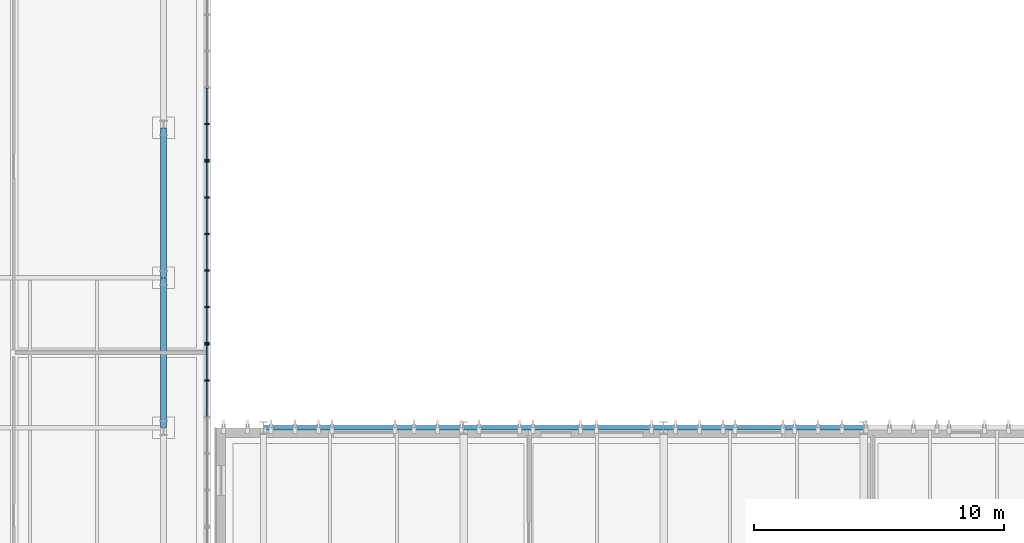
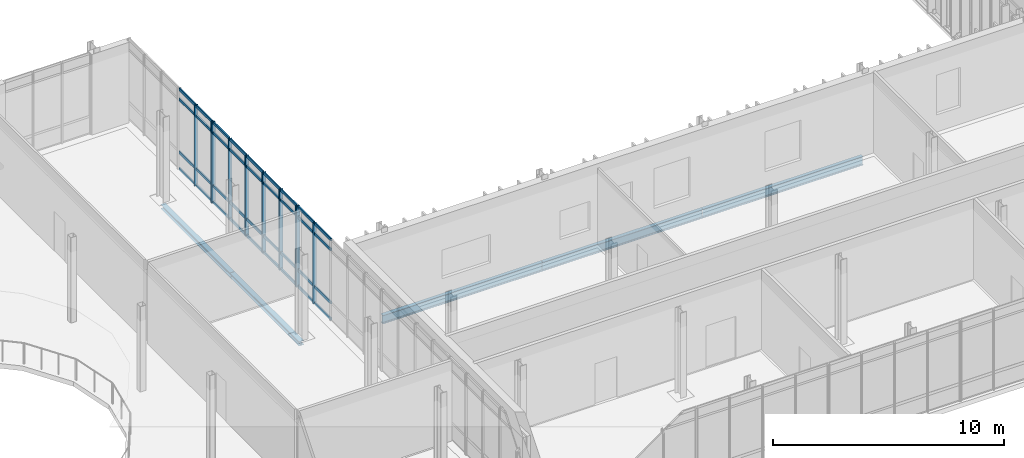
# One storey, part 31 of 100: 46 members, 5 beams, 3 elements without a shape of their own.
"""IFC4 building model written with IfcOpenShell, lengths in metres."""

from ifc_helpers import new_model, si_unit, direction, frame, origin, origin_2d, place, context, subcontext, project, spatial, rectangle, i_section, extrude, material, material_profile, profile_set, type_object, element, aggregate, save


model = new_model("IFC4")

# Units and contexts
model_context = context("Model", 3, precision=1e-05, world=origin(), true_north=direction((0.0, 1.0)))
body_context = subcontext(model_context, "Body", "Model", "MODEL_VIEW")
ifc_project = project(units=[si_unit("LENGTHUNIT", "METRE"), si_unit("AREAUNIT", "SQUARE_METRE"), si_unit("VOLUMEUNIT", "CUBIC_METRE"), si_unit("PLANEANGLEUNIT", "RADIAN"), si_unit("MASSUNIT", "GRAM", prefix="KILO")], contexts=[model_context])

# Site, building, storey
site_placement = place(None, origin())
site = spatial("IfcSite", under=ifc_project, at=site_placement, CompositionType="ELEMENT")
building_placement = place(site_placement, origin())
building = spatial("IfcBuilding", under=site, at=building_placement, Name="Cymarion Research Institute", CompositionType="ELEMENT")
storey_placement = place(building_placement, frame((0.0, 0.0, 4.800048828125)))
storey = spatial("IfcBuildingStorey", under=building, at=storey_placement, Name="L01", CompositionType="ELEMENT", Elevation=4.800048828125)

# Curtain wall, members
ifc_material_1 = material(Name="Anodised aluminium unitised curtain wall with Low-E glazing", Category="aluminium")
curtain_wall_type = type_object("IfcCurtainWallType", Name="UNITISED CURTAIN WALL CW08 7320X4250", PredefinedType="NOTDEFINED", material=ifc_material_1)
curtain_wall_1_placement = place(storey_placement, origin())
curtain_wall_1 = element("IfcCurtainWall", 1, at=curtain_wall_1_placement, inside=storey, type_object=curtain_wall_type, Name="L01 V2 unitised curtain wall CW08 #21", PredefinedType="NOTDEFINED")
ifc_material_2 = material(Name="Anodised aluminium framing", Category="aluminium")
ifc_material_profile_1 = material_profile(ifc_material_2, rectangle(XDim=0.06005859375, YDim=0.179931640625, at=origin_2d()), Name="ALU MULLION 60x180")
ifc_profile_set_1 = profile_set([ifc_material_profile_1], Name="Anodised aluminium framing")
member_type_1 = type_object("IfcMemberType", Name="CURTAIN WALL MULLION ML01 60X180", PredefinedType="MULLION", material=ifc_profile_set_1)
member_1_placement = place(storey_placement, frame((104.340087890625, 25.39599609375, 0.0), z_axis=(0.0, 0.0, 1.0), x_axis=(0.0, 1.0, 0.0)))
member_1 = element("IfcMember", 2, at=member_1_placement, type_object=member_type_1, Name="CW08 mullion 5", PredefinedType="MULLION", context=body_context, shape_type="SweptSolid", body=[
    extrude(rectangle(XDim=0.06005859375, YDim=0.179931640625, at=origin_2d()), origin(), (0.0, 0.0, 1.0), 4.25),
])
member_2_placement = place(storey_placement, frame((104.340087890625, 26.830078125, 0.0), z_axis=(0.0, 0.0, 1.0), x_axis=(0.0, 1.0, 0.0)))
member_2 = element("IfcMember", 3, at=member_2_placement, type_object=member_type_1, Name="CW08 mullion 6", PredefinedType="MULLION", context=body_context, shape_type="SweptSolid", body=[
    extrude(rectangle(XDim=0.06005859375, YDim=0.179931640625, at=origin_2d()), origin(), (0.0, 0.0, 1.0), 4.25),
])

curtain_wall_2_placement = place(storey_placement, origin())
curtain_wall_2 = element("IfcCurtainWall", 4, at=curtain_wall_2_placement, inside=storey, type_object=curtain_wall_type, Name="L01 V2 unitised curtain wall CW08 #22", PredefinedType="NOTDEFINED")
member_3_placement = place(storey_placement, frame((104.340087890625, 26.889892578125, 0.0), z_axis=(0.0, 0.0, 1.0), x_axis=(0.0, 1.0, 0.0)))
member_3 = element("IfcMember", 5, at=member_3_placement, type_object=member_type_1, Name="CW08 mullion 1", PredefinedType="MULLION", context=body_context, shape_type="SweptSolid", body=[
    extrude(rectangle(XDim=0.06005859375, YDim=0.179931640625, at=origin_2d()), origin(), (0.0, 0.0, 1.0), 4.25),
])
member_4_placement = place(storey_placement, frame((104.340087890625, 28.323974609375, 0.0), z_axis=(0.0, 0.0, 1.0), x_axis=(0.0, 1.0, 0.0)))
member_4 = element("IfcMember", 6, at=member_4_placement, type_object=member_type_1, Name="CW08 mullion 2", PredefinedType="MULLION", context=body_context, shape_type="SweptSolid", body=[
    extrude(rectangle(XDim=0.06005859375, YDim=0.179931640625, at=origin_2d()), origin(), (0.0, 0.0, 1.0), 4.25),
])
member_5_placement = place(storey_placement, frame((104.340087890625, 29.7880859375, 0.0), z_axis=(0.0, 0.0, 1.0), x_axis=(0.0, 1.0, 0.0)))
member_5 = element("IfcMember", 7, at=member_5_placement, type_object=member_type_1, Name="CW08 mullion 3", PredefinedType="MULLION", context=body_context, shape_type="SweptSolid", body=[
    extrude(rectangle(XDim=0.06005859375, YDim=0.179931640625, at=origin_2d()), origin(), (0.0, 0.0, 1.0), 4.25),
])
member_6_placement = place(storey_placement, frame((104.340087890625, 31.251953125, 0.0), z_axis=(0.0, 0.0, 1.0), x_axis=(0.0, 1.0, 0.0)))
member_6 = element("IfcMember", 8, at=member_6_placement, type_object=member_type_1, Name="CW08 mullion 4", PredefinedType="MULLION", context=body_context, shape_type="SweptSolid", body=[
    extrude(rectangle(XDim=0.06005859375, YDim=0.179931640625, at=origin_2d()), origin(), (0.0, 0.0, 1.0), 4.25),
])
member_7_placement = place(storey_placement, frame((104.340087890625, 32.716064453125, 0.0), z_axis=(0.0, 0.0, 1.0), x_axis=(0.0, 1.0, 0.0)))
member_7 = element("IfcMember", 9, at=member_7_placement, type_object=member_type_1, Name="CW08 mullion 5", PredefinedType="MULLION", context=body_context, shape_type="SweptSolid", body=[
    extrude(rectangle(XDim=0.06005859375, YDim=0.179931640625, at=origin_2d()), origin(), (0.0, 0.0, 1.0), 4.25),
])
member_8_placement = place(storey_placement, frame((104.340087890625, 34.14990234375, 0.0), z_axis=(0.0, 0.0, 1.0), x_axis=(0.0, 1.0, 0.0)))
member_8 = element("IfcMember", 10, at=member_8_placement, type_object=member_type_1, Name="CW08 mullion 6", PredefinedType="MULLION", context=body_context, shape_type="SweptSolid", body=[
    extrude(rectangle(XDim=0.06005859375, YDim=0.179931640625, at=origin_2d()), origin(), (0.0, 0.0, 1.0), 4.25),
])

curtain_wall_3_placement = place(storey_placement, origin())
curtain_wall_3 = element("IfcCurtainWall", 11, at=curtain_wall_3_placement, inside=storey, type_object=curtain_wall_type, Name="L01 V2 unitised curtain wall CW08 #23", PredefinedType="NOTDEFINED")
member_9_placement = place(storey_placement, frame((104.340087890625, 34.2099609375, 0.0), z_axis=(0.0, 0.0, 1.0), x_axis=(0.0, 1.0, 0.0)))
member_9 = element("IfcMember", 12, at=member_9_placement, type_object=member_type_1, Name="CW08 mullion 1", PredefinedType="MULLION", context=body_context, shape_type="SweptSolid", body=[
    extrude(rectangle(XDim=0.06005859375, YDim=0.179931640625, at=origin_2d()), origin(), (0.0, 0.0, 1.0), 4.25),
])
member_10_placement = place(storey_placement, frame((104.340087890625, 35.64404296875, 0.0), z_axis=(0.0, 0.0, 1.0), x_axis=(0.0, 1.0, 0.0)))
member_10 = element("IfcMember", 13, at=member_10_placement, type_object=member_type_1, Name="CW08 mullion 2", PredefinedType="MULLION", context=body_context, shape_type="SweptSolid", body=[
    extrude(rectangle(XDim=0.06005859375, YDim=0.179931640625, at=origin_2d()), origin(), (0.0, 0.0, 1.0), 4.25),
])

# Member
ifc_material_profile_2 = material_profile(ifc_material_2, rectangle(XDim=0.06005859375, YDim=0.14990234375, at=origin_2d()), Name="ALU TRANSOM 60x150")
ifc_profile_set_2 = profile_set([ifc_material_profile_2], Name="Anodised aluminium framing")
member_type_2 = type_object("IfcMemberType", Name="CURTAIN WALL TRANSOM TR01 60X150", PredefinedType="USERDEFINED", material=ifc_profile_set_2)
member_11_placement = place(storey_placement, frame((104.340087890625, 23.9619140625, 0.030029296875), z_axis=(0.0, 1.0, 0.0), x_axis=(-1.0, 0.0, 0.0)))
member_11 = element("IfcMember", 14, at=member_11_placement, type_object=member_type_2, Name="CW08 transom 4.1", ObjectType="TRANSOM", PredefinedType="USERDEFINED", context=body_context, shape_type="SweptSolid", body=[
    extrude(rectangle(XDim=0.06005859375, YDim=0.14990234375, at=origin_2d()), origin(), (0.0, 0.0, 1.0), 1.404052734375),
])

member_12_placement = place(storey_placement, frame((104.340087890625, 23.9619140625, 0.89990234375), z_axis=(0.0, 1.0, 0.0), x_axis=(-1.0, 0.0, 0.0)))
member_12 = element("IfcMember", 15, at=member_12_placement, type_object=member_type_2, Name="CW08 transom 4.2", ObjectType="TRANSOM", PredefinedType="USERDEFINED", context=body_context, shape_type="SweptSolid", body=[
    extrude(rectangle(XDim=0.06005859375, YDim=0.14990234375, at=origin_2d()), origin(), (0.0, 0.0, 1.0), 1.404052734375),
])

member_13_placement = place(storey_placement, frame((104.340087890625, 23.9619140625, 3.699951171875), z_axis=(0.0, 1.0, 0.0), x_axis=(-1.0, 0.0, 0.0)))
member_13 = element("IfcMember", 16, at=member_13_placement, type_object=member_type_2, Name="CW08 transom 4.3", ObjectType="TRANSOM", PredefinedType="USERDEFINED", context=body_context, shape_type="SweptSolid", body=[
    extrude(rectangle(XDim=0.06005859375, YDim=0.14990234375, at=origin_2d()), origin(), (0.0, 0.0, 1.0), 1.404052734375),
])

member_14_placement = place(storey_placement, frame((104.340087890625, 23.9619140625, 4.219970703125), z_axis=(0.0, 1.0, 0.0), x_axis=(-1.0, 0.0, 0.0)))
member_14 = element("IfcMember", 17, at=member_14_placement, type_object=member_type_2, Name="CW08 transom 4.4", ObjectType="TRANSOM", PredefinedType="USERDEFINED", context=body_context, shape_type="SweptSolid", body=[
    extrude(rectangle(XDim=0.06005859375, YDim=0.14990234375, at=origin_2d()), origin(), (0.0, 0.0, 1.0), 1.404052734375),
])

member_15_placement = place(storey_placement, frame((104.340087890625, 25.426025390625, 0.030029296875), z_axis=(0.0, 1.0, 0.0), x_axis=(-1.0, 0.0, 0.0)))
member_15 = element("IfcMember", 18, at=member_15_placement, type_object=member_type_2, Name="CW08 transom 5.1", ObjectType="TRANSOM", PredefinedType="USERDEFINED", context=body_context, shape_type="SweptSolid", body=[
    extrude(rectangle(XDim=0.06005859375, YDim=0.14990234375, at=origin_2d()), origin(), (0.0, 0.0, 1.0), 1.3740234375),
])

member_16_placement = place(storey_placement, frame((104.340087890625, 25.426025390625, 0.89990234375), z_axis=(0.0, 1.0, 0.0), x_axis=(-1.0, 0.0, 0.0)))
member_16 = element("IfcMember", 19, at=member_16_placement, type_object=member_type_2, Name="CW08 transom 5.2", ObjectType="TRANSOM", PredefinedType="USERDEFINED", context=body_context, shape_type="SweptSolid", body=[
    extrude(rectangle(XDim=0.06005859375, YDim=0.14990234375, at=origin_2d()), origin(), (0.0, 0.0, 1.0), 1.3740234375),
])

member_17_placement = place(storey_placement, frame((104.340087890625, 25.426025390625, 3.699951171875), z_axis=(0.0, 1.0, 0.0), x_axis=(-1.0, 0.0, 0.0)))
member_17 = element("IfcMember", 20, at=member_17_placement, type_object=member_type_2, Name="CW08 transom 5.3", ObjectType="TRANSOM", PredefinedType="USERDEFINED", context=body_context, shape_type="SweptSolid", body=[
    extrude(rectangle(XDim=0.06005859375, YDim=0.14990234375, at=origin_2d()), origin(), (0.0, 0.0, 1.0), 1.3740234375),
])

member_18_placement = place(storey_placement, frame((104.340087890625, 25.426025390625, 4.219970703125), z_axis=(0.0, 1.0, 0.0), x_axis=(-1.0, 0.0, 0.0)))
member_18 = element("IfcMember", 21, at=member_18_placement, type_object=member_type_2, Name="CW08 transom 5.4", ObjectType="TRANSOM", PredefinedType="USERDEFINED", context=body_context, shape_type="SweptSolid", body=[
    extrude(rectangle(XDim=0.06005859375, YDim=0.14990234375, at=origin_2d()), origin(), (0.0, 0.0, 1.0), 1.3740234375),
])

aggregate(curtain_wall_1, [member_1, member_2, member_11, member_12, member_13, member_14, member_15, member_16, member_17, member_18])

member_19_placement = place(storey_placement, frame((104.340087890625, 26.919921875, 0.030029296875), z_axis=(0.0, 1.0, 0.0), x_axis=(-1.0, 0.0, 0.0)))
member_19 = element("IfcMember", 22, at=member_19_placement, type_object=member_type_2, Name="CW08 transom 1.1", ObjectType="TRANSOM", PredefinedType="USERDEFINED", context=body_context, shape_type="SweptSolid", body=[
    extrude(rectangle(XDim=0.06005859375, YDim=0.14990234375, at=origin_2d()), origin(), (0.0, 0.0, 1.0), 1.3740234375),
])

member_20_placement = place(storey_placement, frame((104.340087890625, 26.919921875, 0.89990234375), z_axis=(0.0, 1.0, 0.0), x_axis=(-1.0, 0.0, 0.0)))
member_20 = element("IfcMember", 23, at=member_20_placement, type_object=member_type_2, Name="CW08 transom 1.2", ObjectType="TRANSOM", PredefinedType="USERDEFINED", context=body_context, shape_type="SweptSolid", body=[
    extrude(rectangle(XDim=0.06005859375, YDim=0.14990234375, at=origin_2d()), origin(), (0.0, 0.0, 1.0), 1.3740234375),
])

member_21_placement = place(storey_placement, frame((104.340087890625, 26.919921875, 3.699951171875), z_axis=(0.0, 1.0, 0.0), x_axis=(-1.0, 0.0, 0.0)))
member_21 = element("IfcMember", 24, at=member_21_placement, type_object=member_type_2, Name="CW08 transom 1.3", ObjectType="TRANSOM", PredefinedType="USERDEFINED", context=body_context, shape_type="SweptSolid", body=[
    extrude(rectangle(XDim=0.06005859375, YDim=0.14990234375, at=origin_2d()), origin(), (0.0, 0.0, 1.0), 1.3740234375),
])

member_22_placement = place(storey_placement, frame((104.340087890625, 26.919921875, 4.219970703125), z_axis=(0.0, 1.0, 0.0), x_axis=(-1.0, 0.0, 0.0)))
member_22 = element("IfcMember", 25, at=member_22_placement, type_object=member_type_2, Name="CW08 transom 1.4", ObjectType="TRANSOM", PredefinedType="USERDEFINED", context=body_context, shape_type="SweptSolid", body=[
    extrude(rectangle(XDim=0.06005859375, YDim=0.14990234375, at=origin_2d()), origin(), (0.0, 0.0, 1.0), 1.3740234375),
])

member_23_placement = place(storey_placement, frame((104.340087890625, 28.35400390625, 0.030029296875), z_axis=(0.0, 1.0, 0.0), x_axis=(-1.0, 0.0, 0.0)))
member_23 = element("IfcMember", 26, at=member_23_placement, type_object=member_type_2, Name="CW08 transom 2.1", ObjectType="TRANSOM", PredefinedType="USERDEFINED", context=body_context, shape_type="SweptSolid", body=[
    extrude(rectangle(XDim=0.06005859375, YDim=0.14990234375, at=origin_2d()), origin(), (0.0, 0.0, 1.0), 1.404052734375),
])

member_24_placement = place(storey_placement, frame((104.340087890625, 28.35400390625, 0.89990234375), z_axis=(0.0, 1.0, 0.0), x_axis=(-1.0, 0.0, 0.0)))
member_24 = element("IfcMember", 27, at=member_24_placement, type_object=member_type_2, Name="CW08 transom 2.2", ObjectType="TRANSOM", PredefinedType="USERDEFINED", context=body_context, shape_type="SweptSolid", body=[
    extrude(rectangle(XDim=0.06005859375, YDim=0.14990234375, at=origin_2d()), origin(), (0.0, 0.0, 1.0), 1.404052734375),
])

member_25_placement = place(storey_placement, frame((104.340087890625, 28.35400390625, 3.699951171875), z_axis=(0.0, 1.0, 0.0), x_axis=(-1.0, 0.0, 0.0)))
member_25 = element("IfcMember", 28, at=member_25_placement, type_object=member_type_2, Name="CW08 transom 2.3", ObjectType="TRANSOM", PredefinedType="USERDEFINED", context=body_context, shape_type="SweptSolid", body=[
    extrude(rectangle(XDim=0.06005859375, YDim=0.14990234375, at=origin_2d()), origin(), (0.0, 0.0, 1.0), 1.404052734375),
])

member_26_placement = place(storey_placement, frame((104.340087890625, 28.35400390625, 4.219970703125), z_axis=(0.0, 1.0, 0.0), x_axis=(-1.0, 0.0, 0.0)))
member_26 = element("IfcMember", 29, at=member_26_placement, type_object=member_type_2, Name="CW08 transom 2.4", ObjectType="TRANSOM", PredefinedType="USERDEFINED", context=body_context, shape_type="SweptSolid", body=[
    extrude(rectangle(XDim=0.06005859375, YDim=0.14990234375, at=origin_2d()), origin(), (0.0, 0.0, 1.0), 1.404052734375),
])

member_27_placement = place(storey_placement, frame((104.340087890625, 29.818115234375, 0.030029296875), z_axis=(0.0, 1.0, 0.0), x_axis=(-1.0, 0.0, 0.0)))
member_27 = element("IfcMember", 30, at=member_27_placement, type_object=member_type_2, Name="CW08 transom 3.1", ObjectType="TRANSOM", PredefinedType="USERDEFINED", context=body_context, shape_type="SweptSolid", body=[
    extrude(rectangle(XDim=0.06005859375, YDim=0.14990234375, at=origin_2d()), origin(), (0.0, 0.0, 1.0), 1.40380859375),
])

member_28_placement = place(storey_placement, frame((104.340087890625, 29.818115234375, 0.89990234375), z_axis=(0.0, 1.0, 0.0), x_axis=(-1.0, 0.0, 0.0)))
member_28 = element("IfcMember", 31, at=member_28_placement, type_object=member_type_2, Name="CW08 transom 3.2", ObjectType="TRANSOM", PredefinedType="USERDEFINED", context=body_context, shape_type="SweptSolid", body=[
    extrude(rectangle(XDim=0.06005859375, YDim=0.14990234375, at=origin_2d()), origin(), (0.0, 0.0, 1.0), 1.40380859375),
])

member_29_placement = place(storey_placement, frame((104.340087890625, 29.818115234375, 3.699951171875), z_axis=(0.0, 1.0, 0.0), x_axis=(-1.0, 0.0, 0.0)))
member_29 = element("IfcMember", 32, at=member_29_placement, type_object=member_type_2, Name="CW08 transom 3.3", ObjectType="TRANSOM", PredefinedType="USERDEFINED", context=body_context, shape_type="SweptSolid", body=[
    extrude(rectangle(XDim=0.06005859375, YDim=0.14990234375, at=origin_2d()), origin(), (0.0, 0.0, 1.0), 1.40380859375),
])

member_30_placement = place(storey_placement, frame((104.340087890625, 29.818115234375, 4.219970703125), z_axis=(0.0, 1.0, 0.0), x_axis=(-1.0, 0.0, 0.0)))
member_30 = element("IfcMember", 33, at=member_30_placement, type_object=member_type_2, Name="CW08 transom 3.4", ObjectType="TRANSOM", PredefinedType="USERDEFINED", context=body_context, shape_type="SweptSolid", body=[
    extrude(rectangle(XDim=0.06005859375, YDim=0.14990234375, at=origin_2d()), origin(), (0.0, 0.0, 1.0), 1.40380859375),
])

member_31_placement = place(storey_placement, frame((104.340087890625, 31.281982421875, 0.030029296875), z_axis=(0.0, 1.0, 0.0), x_axis=(-1.0, 0.0, 0.0)))
member_31 = element("IfcMember", 34, at=member_31_placement, type_object=member_type_2, Name="CW08 transom 4.1", ObjectType="TRANSOM", PredefinedType="USERDEFINED", context=body_context, shape_type="SweptSolid", body=[
    extrude(rectangle(XDim=0.06005859375, YDim=0.14990234375, at=origin_2d()), origin(), (0.0, 0.0, 1.0), 1.404052734375),
])

member_32_placement = place(storey_placement, frame((104.340087890625, 31.281982421875, 0.89990234375), z_axis=(0.0, 1.0, 0.0), x_axis=(-1.0, 0.0, 0.0)))
member_32 = element("IfcMember", 35, at=member_32_placement, type_object=member_type_2, Name="CW08 transom 4.2", ObjectType="TRANSOM", PredefinedType="USERDEFINED", context=body_context, shape_type="SweptSolid", body=[
    extrude(rectangle(XDim=0.06005859375, YDim=0.14990234375, at=origin_2d()), origin(), (0.0, 0.0, 1.0), 1.404052734375),
])

member_33_placement = place(storey_placement, frame((104.340087890625, 31.281982421875, 3.699951171875), z_axis=(0.0, 1.0, 0.0), x_axis=(-1.0, 0.0, 0.0)))
member_33 = element("IfcMember", 36, at=member_33_placement, type_object=member_type_2, Name="CW08 transom 4.3", ObjectType="TRANSOM", PredefinedType="USERDEFINED", context=body_context, shape_type="SweptSolid", body=[
    extrude(rectangle(XDim=0.06005859375, YDim=0.14990234375, at=origin_2d()), origin(), (0.0, 0.0, 1.0), 1.404052734375),
])

member_34_placement = place(storey_placement, frame((104.340087890625, 31.281982421875, 4.219970703125), z_axis=(0.0, 1.0, 0.0), x_axis=(-1.0, 0.0, 0.0)))
member_34 = element("IfcMember", 37, at=member_34_placement, type_object=member_type_2, Name="CW08 transom 4.4", ObjectType="TRANSOM", PredefinedType="USERDEFINED", context=body_context, shape_type="SweptSolid", body=[
    extrude(rectangle(XDim=0.06005859375, YDim=0.14990234375, at=origin_2d()), origin(), (0.0, 0.0, 1.0), 1.404052734375),
])

member_35_placement = place(storey_placement, frame((104.340087890625, 32.74609375, 0.030029296875), z_axis=(0.0, 1.0, 0.0), x_axis=(-1.0, 0.0, 0.0)))
member_35 = element("IfcMember", 38, at=member_35_placement, type_object=member_type_2, Name="CW08 transom 5.1", ObjectType="TRANSOM", PredefinedType="USERDEFINED", context=body_context, shape_type="SweptSolid", body=[
    extrude(rectangle(XDim=0.06005859375, YDim=0.14990234375, at=origin_2d()), origin(), (0.0, 0.0, 1.0), 1.3740234375),
])

member_36_placement = place(storey_placement, frame((104.340087890625, 32.74609375, 0.89990234375), z_axis=(0.0, 1.0, 0.0), x_axis=(-1.0, 0.0, 0.0)))
member_36 = element("IfcMember", 39, at=member_36_placement, type_object=member_type_2, Name="CW08 transom 5.2", ObjectType="TRANSOM", PredefinedType="USERDEFINED", context=body_context, shape_type="SweptSolid", body=[
    extrude(rectangle(XDim=0.06005859375, YDim=0.14990234375, at=origin_2d()), origin(), (0.0, 0.0, 1.0), 1.3740234375),
])

member_37_placement = place(storey_placement, frame((104.340087890625, 32.74609375, 3.699951171875), z_axis=(0.0, 1.0, 0.0), x_axis=(-1.0, 0.0, 0.0)))
member_37 = element("IfcMember", 40, at=member_37_placement, type_object=member_type_2, Name="CW08 transom 5.3", ObjectType="TRANSOM", PredefinedType="USERDEFINED", context=body_context, shape_type="SweptSolid", body=[
    extrude(rectangle(XDim=0.06005859375, YDim=0.14990234375, at=origin_2d()), origin(), (0.0, 0.0, 1.0), 1.3740234375),
])

member_38_placement = place(storey_placement, frame((104.340087890625, 32.74609375, 4.219970703125), z_axis=(0.0, 1.0, 0.0), x_axis=(-1.0, 0.0, 0.0)))
member_38 = element("IfcMember", 41, at=member_38_placement, type_object=member_type_2, Name="CW08 transom 5.4", ObjectType="TRANSOM", PredefinedType="USERDEFINED", context=body_context, shape_type="SweptSolid", body=[
    extrude(rectangle(XDim=0.06005859375, YDim=0.14990234375, at=origin_2d()), origin(), (0.0, 0.0, 1.0), 1.3740234375),
])

aggregate(curtain_wall_2, [member_3, member_4, member_5, member_6, member_7, member_8, member_19, member_20, member_21, member_22, member_23, member_24, member_25, member_26, member_27, member_28, member_29, member_30, member_31, member_32, member_33, member_34, member_35, member_36, member_37, member_38])

member_39_placement = place(storey_placement, frame((104.340087890625, 34.239990234375, 0.030029296875), z_axis=(0.0, 1.0, 0.0), x_axis=(-1.0, 0.0, 0.0)))
member_39 = element("IfcMember", 42, at=member_39_placement, type_object=member_type_2, Name="CW08 transom 1.1", ObjectType="TRANSOM", PredefinedType="USERDEFINED", context=body_context, shape_type="SweptSolid", body=[
    extrude(rectangle(XDim=0.06005859375, YDim=0.14990234375, at=origin_2d()), origin(), (0.0, 0.0, 1.0), 1.3740234375),
])

member_40_placement = place(storey_placement, frame((104.340087890625, 34.239990234375, 0.89990234375), z_axis=(0.0, 1.0, 0.0), x_axis=(-1.0, 0.0, 0.0)))
member_40 = element("IfcMember", 43, at=member_40_placement, type_object=member_type_2, Name="CW08 transom 1.2", ObjectType="TRANSOM", PredefinedType="USERDEFINED", context=body_context, shape_type="SweptSolid", body=[
    extrude(rectangle(XDim=0.06005859375, YDim=0.14990234375, at=origin_2d()), origin(), (0.0, 0.0, 1.0), 1.3740234375),
])

member_41_placement = place(storey_placement, frame((104.340087890625, 34.239990234375, 3.699951171875), z_axis=(0.0, 1.0, 0.0), x_axis=(-1.0, 0.0, 0.0)))
member_41 = element("IfcMember", 44, at=member_41_placement, type_object=member_type_2, Name="CW08 transom 1.3", ObjectType="TRANSOM", PredefinedType="USERDEFINED", context=body_context, shape_type="SweptSolid", body=[
    extrude(rectangle(XDim=0.06005859375, YDim=0.14990234375, at=origin_2d()), origin(), (0.0, 0.0, 1.0), 1.3740234375),
])

member_42_placement = place(storey_placement, frame((104.340087890625, 34.239990234375, 4.219970703125), z_axis=(0.0, 1.0, 0.0), x_axis=(-1.0, 0.0, 0.0)))
member_42 = element("IfcMember", 45, at=member_42_placement, type_object=member_type_2, Name="CW08 transom 1.4", ObjectType="TRANSOM", PredefinedType="USERDEFINED", context=body_context, shape_type="SweptSolid", body=[
    extrude(rectangle(XDim=0.06005859375, YDim=0.14990234375, at=origin_2d()), origin(), (0.0, 0.0, 1.0), 1.3740234375),
])

member_43_placement = place(storey_placement, frame((104.340087890625, 35.674072265625, 0.030029296875), z_axis=(0.0, 1.0, 0.0), x_axis=(-1.0, 0.0, 0.0)))
member_43 = element("IfcMember", 46, at=member_43_placement, type_object=member_type_2, Name="CW08 transom 2.1", ObjectType="TRANSOM", PredefinedType="USERDEFINED", context=body_context, shape_type="SweptSolid", body=[
    extrude(rectangle(XDim=0.06005859375, YDim=0.14990234375, at=origin_2d()), origin(), (0.0, 0.0, 1.0), 1.40380859375),
])

member_44_placement = place(storey_placement, frame((104.340087890625, 35.674072265625, 0.89990234375), z_axis=(0.0, 1.0, 0.0), x_axis=(-1.0, 0.0, 0.0)))
member_44 = element("IfcMember", 47, at=member_44_placement, type_object=member_type_2, Name="CW08 transom 2.2", ObjectType="TRANSOM", PredefinedType="USERDEFINED", context=body_context, shape_type="SweptSolid", body=[
    extrude(rectangle(XDim=0.06005859375, YDim=0.14990234375, at=origin_2d()), origin(), (0.0, 0.0, 1.0), 1.40380859375),
])

member_45_placement = place(storey_placement, frame((104.340087890625, 35.674072265625, 3.699951171875), z_axis=(0.0, 1.0, 0.0), x_axis=(-1.0, 0.0, 0.0)))
member_45 = element("IfcMember", 48, at=member_45_placement, type_object=member_type_2, Name="CW08 transom 2.3", ObjectType="TRANSOM", PredefinedType="USERDEFINED", context=body_context, shape_type="SweptSolid", body=[
    extrude(rectangle(XDim=0.06005859375, YDim=0.14990234375, at=origin_2d()), origin(), (0.0, 0.0, 1.0), 1.40380859375),
])

member_46_placement = place(storey_placement, frame((104.340087890625, 35.674072265625, 4.219970703125), z_axis=(0.0, 1.0, 0.0), x_axis=(-1.0, 0.0, 0.0)))
member_46 = element("IfcMember", 49, at=member_46_placement, type_object=member_type_2, Name="CW08 transom 2.4", ObjectType="TRANSOM", PredefinedType="USERDEFINED", context=body_context, shape_type="SweptSolid", body=[
    extrude(rectangle(XDim=0.06005859375, YDim=0.14990234375, at=origin_2d()), origin(), (0.0, 0.0, 1.0), 1.40380859375),
])

aggregate(curtain_wall_3, [member_9, member_10, member_39, member_40, member_41, member_42, member_43, member_44, member_45, member_46])

# Beams
ifc_material_3 = material(Name="Steel S355", Category="steel")
ifc_material_profile_3 = material_profile(ifc_material_3, i_section(OverallWidth=0.18994140625, OverallDepth=0.449951171875, WebThickness=0.009521484375, FlangeThickness=0.0146484375, FilletRadius=0.02099609375, at=origin_2d()), Name="IPE 450")
ifc_profile_set_3 = profile_set([ifc_material_profile_3], Name="Steel S355")
beam_type_1 = type_object("IfcBeamType", Name="PRIMARY GIRDER BM04 IPE 450", PredefinedType="BEAM", material=ifc_profile_set_3)
for number, where, z_axis, x_axis, name in (
    (50, (106.60595703125, 23.5, -0.47509765625), (1.0, 0.0, 0.0), (0.0, 1.0, 0.0), "L01 V1 girder BM04 #364"),
    (51, (114.60595703125, 23.5, -0.47509765625), (1.0, 0.0, 0.0), (0.0, 1.0, 0.0), "L01 V1 girder BM04 #365"),
    (52, (122.60595703125, 23.5, -0.47509765625), (1.0, 0.0, 0.0), (0.0, 1.0, 0.0), "L01 V1 girder BM04 #366"),
):
    element("IfcBeam", number, at=place(storey_placement, frame(where, z_axis=z_axis, x_axis=x_axis)), inside=storey, type_object=beam_type_1, Name=name, PredefinedType="BEAM", context=body_context, shape_type="SweptSolid", body=[
        extrude(i_section(OverallWidth=0.18994140625, OverallDepth=0.449951171875, WebThickness=0.009521484375, FlangeThickness=0.0146484375, FilletRadius=0.02099609375, at=origin_2d()), origin(), (0.0, 0.0, 1.0), 7.988037109375),
    ])
ifc_material_profile_4 = material_profile(ifc_material_3, i_section(OverallWidth=0.239990234375, OverallDepth=0.22998046875, WebThickness=0.007568359375, FlangeThickness=0.011962890625, FilletRadius=0.02099609375, at=origin_2d()), Name="HEA 240")
ifc_profile_set_4 = profile_set([ifc_material_profile_4], Name="Steel S355")
beam_type_2 = type_object("IfcBeamType", Name="SPANDREL BEAM SPB03 HEA 240", PredefinedType="SPANDREL", material=ifc_profile_set_4)
for number, where, z_axis, x_axis, name in (
    (53, (102.60009765625, 23.506103515625, -0.364990234375), (0.0, 1.0, 0.0), (-1.0, 0.0, 0.0), "L01 V2 girder SPB03 #520"),
    (54, (102.60009765625, 29.506103515625, -0.364990234375), (0.0, 1.0, 0.0), (-1.0, 0.0, 0.0), "L01 V2 girder SPB03 #521"),
):
    element("IfcBeam", number, at=place(storey_placement, frame(where, z_axis=z_axis, x_axis=x_axis)), inside=storey, type_object=beam_type_2, Name=name, PredefinedType="SPANDREL", context=body_context, shape_type="SweptSolid", body=[
        extrude(i_section(OverallWidth=0.239990234375, OverallDepth=0.22998046875, WebThickness=0.007568359375, FlangeThickness=0.011962890625, FilletRadius=0.02099609375, at=origin_2d()), origin(), (0.0, 0.0, 1.0), 5.98779296875),
    ])

save(model, "model.ifc")
